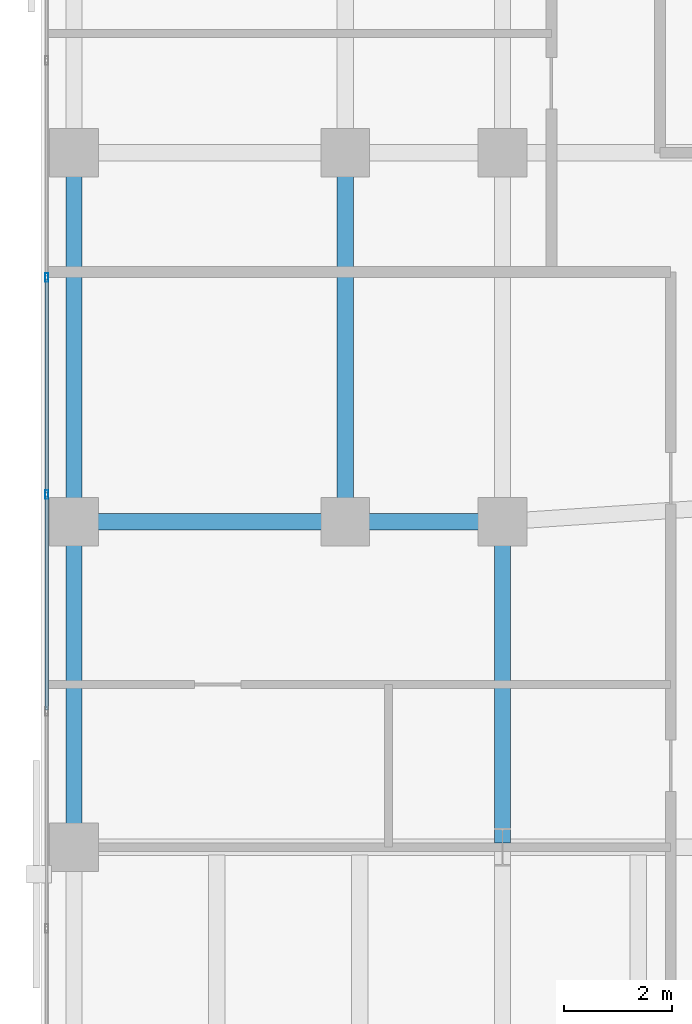
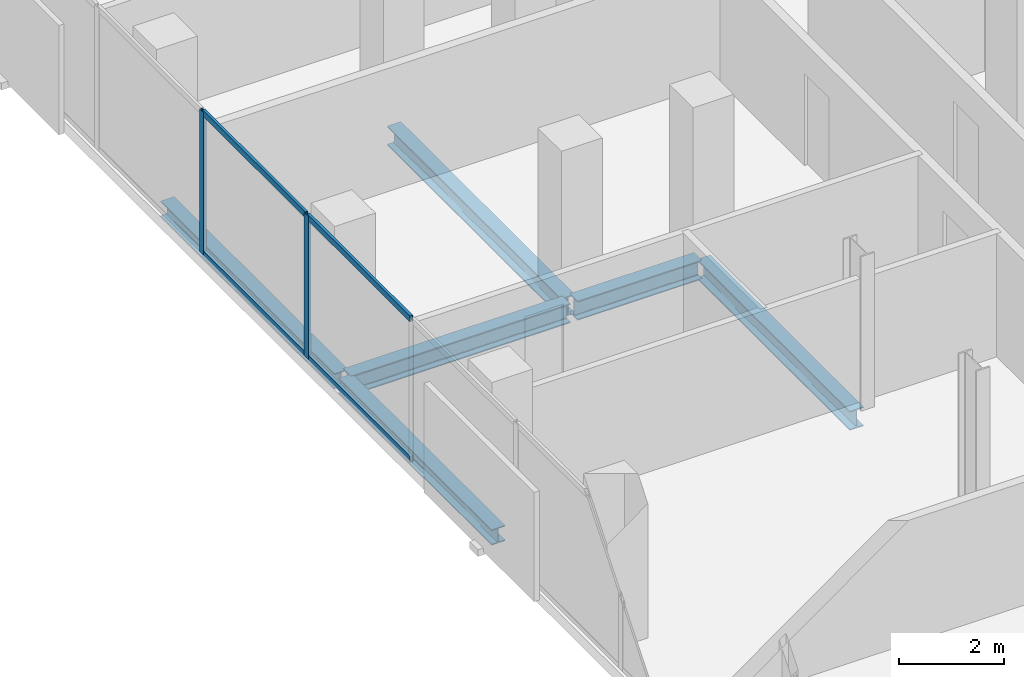
# One storey, part 9 of 34: 6 beams, 6 members, 1 element without a shape of its own.
"""IFC4 building model written with IfcOpenShell, lengths in metres."""

import ifcopenshell
import ifcopenshell.guid

model = None  # the IFC model being written
_history = None  # IfcOwnerHistory: only IFC2X3 demands one
_inside = {}  # id of a spatial element -> (the spatial element, [elements in it])
_under = {}  # id of a project, library or spatial element -> (it, [spatial elements below it])
_declared = {}  # id of a project -> (the project, [libraries it declares])
_typed = {}  # id of a type object -> (the type object, [elements of that type])
_made_of = {}  # id of a material, layer set ... -> (it, [elements and type objects made of it])


def new_model(schema):
    """Start an empty IFC model of exactly this schema.

    Asked for "IFC4X3", IfcOpenShell would pick the latest addendum, in which some entities
    have other attributes; the version numbers below select the first issue.
    IFC2X3 requires an IfcOwnerHistory on every rooted entity: one is made here for all.
    """
    global model, _history
    if schema == "IFC4X3":
        model = ifcopenshell.file(schema_version=(4, 3, 0, 0))
    else:
        model = ifcopenshell.file(schema=schema)
    _inside.clear()
    _under.clear()
    _declared.clear()
    _typed.clear()
    _made_of.clear()
    _history = None
    if model.schema == "IFC2X3":
        org = make("IfcOrganization", Name="unknown")
        user = make(
            "IfcPersonAndOrganization",
            ThePerson=make("IfcPerson", FamilyName="unknown"),
            TheOrganization=org,
        )
        app = make(
            "IfcApplication",
            ApplicationDeveloper=org,
            Version="unknown",
            ApplicationFullName="unknown",
            ApplicationIdentifier="unknown",
        )
        _history = make(
            "IfcOwnerHistory",
            OwningUser=user,
            OwningApplication=app,
            ChangeAction="ADDED",
            CreationDate=0,
        )
    return model


def make(cls, **values):
    """One entity of the class cls with the attributes given. An attribute that is None is left unset."""
    return model.create_entity(
        cls, **{name: value for name, value in values.items() if value is not None}
    )


def rooted(cls, **values):
    """An entity with a GlobalId (a new one), such as an element, a storey or a relation."""
    return make(cls, GlobalId=ifcopenshell.guid.new(), OwnerHistory=_history, **values)


def si_unit(unit_type, name, prefix=None):
    """IfcSIUnit, for example si_unit("LENGTHUNIT", "METRE", prefix="MILLI")."""
    return make("IfcSIUnit", UnitType=unit_type, Prefix=prefix, Name=name)


def assignment(units):
    """IfcUnitAssignment: the units of a project."""
    return None if units is None else make("IfcUnitAssignment", Units=units)


def point(xyz):
    """IfcCartesianPoint."""
    return None if xyz is None else make("IfcCartesianPoint", Coordinates=xyz)


def direction(xyz):
    """IfcDirection."""
    return None if xyz is None else make("IfcDirection", DirectionRatios=xyz)


def frame(location, z_axis=None, x_axis=None):
    """IfcAxis2Placement3D, a coordinate frame: its origin and axes. An axis left out is left unset."""
    return make(
        "IfcAxis2Placement3D",
        Location=point(location),
        Axis=direction(z_axis),
        RefDirection=direction(x_axis),
    )


def frame_2d(location, x_axis=None):
    """IfcAxis2Placement2D, a coordinate frame in the plane: its origin and x axis."""
    return make(
        "IfcAxis2Placement2D", Location=point(location), RefDirection=direction(x_axis)
    )


def origin():
    """The frame at (0, 0, 0) with its axes left unset."""
    return frame((0.0, 0.0, 0.0))


def origin_2d():
    """The frame at (0, 0) in the plane with its x axis left unset."""
    return frame_2d((0.0, 0.0))


def place(relative_to, where):
    """IfcLocalPlacement: puts the frame where relative to a parent placement (None: the world)."""
    return make(
        "IfcLocalPlacement", PlacementRelTo=relative_to, RelativePlacement=where
    )


def context(
    kind, dimensions, precision=None, world=None, true_north=None, identifier=None
):
    """IfcGeometricRepresentationContext, for example the 3D "Model" context."""
    return make(
        "IfcGeometricRepresentationContext",
        ContextIdentifier=identifier,
        ContextType=kind,
        CoordinateSpaceDimension=dimensions,
        Precision=precision,
        WorldCoordinateSystem=world,
        TrueNorth=true_north,
    )


def subcontext(parent, identifier, kind, view, scale=None):
    """IfcGeometricRepresentationSubContext, for example "Body" below "Model"."""
    return make(
        "IfcGeometricRepresentationSubContext",
        ContextIdentifier=identifier,
        ContextType=kind,
        ParentContext=parent,
        TargetScale=scale,
        TargetView=view,
    )


def project(units=None, contexts=None):
    """IfcProject with its units and contexts."""
    return rooted(
        "IfcProject",
        Name="project",
        RepresentationContexts=contexts,
        UnitsInContext=assignment(units),
    )


def spatial(cls, under=None, at=None, **own):
    """A site, building, storey or space (cls), placed at a placement, below another one or the project."""
    s = rooted(cls, ObjectPlacement=at, **own)
    if under is not None:
        _under.setdefault(under.id(), (under, []))[1].append(s)
    return s


def profile(cls, at=None, kind="AREA", **sizes):
    """A parametric profile (cls). Its sizes go by their IFC names, for example OverallWidth=200.0."""
    return make(cls, ProfileType=kind, Position=at, **sizes)


def hollow_rectangle(**sizes):
    """IfcRectangleHollowProfileDef."""
    return profile("IfcRectangleHollowProfileDef", **sizes)


def i_section(**sizes):
    """IfcIShapeProfileDef."""
    return profile("IfcIShapeProfileDef", **sizes)


def extrude(swept, where, along, depth):
    """IfcExtrudedAreaSolid: the profile swept, set in the frame where, extruded along a direction by depth."""
    return make(
        "IfcExtrudedAreaSolid",
        SweptArea=swept,
        Position=where,
        ExtrudedDirection=direction(along),
        Depth=depth,
    )


def shape(context_of_items, identifier, shape_type, items):
    """IfcShapeRepresentation: the items that make up one representation, for example the "Body"."""
    return make(
        "IfcShapeRepresentation",
        ContextOfItems=context_of_items,
        RepresentationIdentifier=identifier,
        RepresentationType=shape_type,
        Items=items,
    )


def material(Name=None, Category=None):
    """IfcMaterial."""
    return make("IfcMaterial", Name=Name, Category=Category)


def layer(
    of_material, thickness, ventilated=None, Name=None, Category=None, Priority=None
):
    """IfcMaterialLayer: one layer of a wall or slab, of a material (None: an air gap)."""
    return make(
        "IfcMaterialLayer",
        Material=of_material,
        LayerThickness=thickness,
        IsVentilated=ventilated,
        Name=Name,
        Category=Category,
        Priority=Priority,
    )


def layer_set(layers, Name=None):
    """IfcMaterialLayerSet."""
    return make("IfcMaterialLayerSet", MaterialLayers=layers, LayerSetName=Name)


def material_profile(
    of_material, cross_section, Name=None, Category=None, Priority=None
):
    """IfcMaterialProfile: a cross section and its material."""
    return make(
        "IfcMaterialProfile",
        Name=Name,
        Material=of_material,
        Profile=cross_section,
        Priority=Priority,
        Category=Category,
    )


def profile_set(profiles, Name=None, composite=None):
    """IfcMaterialProfileSet."""
    return make(
        "IfcMaterialProfileSet",
        Name=Name,
        MaterialProfiles=profiles,
        CompositeProfile=composite,
    )


def made_of(thing, what):
    """Note that an element or type object is made of a material, layer set ...; save() writes the relation."""
    if what is not None:
        _made_of.setdefault(what.id(), (what, []))[1].append(thing)
    return thing


def type_object(cls, material=None, **own):
    """A type object (cls), such as IfcWallType, which elements share."""
    return made_of(rooted(cls, **own), material)


def element(
    cls,
    number,
    at=None,
    inside=None,
    cuts=None,
    type_object=None,
    material=None,
    context=None,
    identifier="Body",
    shape_type=None,
    held_by="IfcProductDefinitionShape",
    body=None,
    shapes=None,
    **own,
):
    """One element of the class cls, such as IfcWall. Its Tag is "e" and its number.

    at: its placement. inside: the storey or other place that contains it. cuts: it is an
    opening in that element (IfcRelVoidsElement). A single representation is given by context,
    identifier, shape_type and body (its items); several are given by shapes. held_by: the class
    of the entity that holds the representations. save() writes the other relations.
    """
    e = rooted(cls, Tag="e%d" % number, ObjectPlacement=at, **own)
    if body is not None:
        shapes = [shape(context, identifier, shape_type, body)]
    if shapes is not None:
        e.Representation = make(held_by, Representations=shapes)
    if inside is not None:
        _inside.setdefault(inside.id(), (inside, []))[1].append(e)
    if cuts is not None:
        rooted(
            "IfcRelVoidsElement", RelatingBuildingElement=cuts, RelatedOpeningElement=e
        )
    if type_object is not None:
        _typed.setdefault(type_object.id(), (type_object, []))[1].append(e)
    return made_of(e, material)


def aggregate(whole, parts):
    """IfcRelAggregates: a whole, such as a stair, and the parts it consists of."""
    return rooted("IfcRelAggregates", RelatingObject=whole, RelatedObjects=parts)


def save(model, path):
    """Write the relations noted so far, then the file.

    IfcRelAggregates (storeys below a building ...), IfcRelContainedInSpatialStructure (elements
    in a storey), IfcRelDefinesByType, IfcRelAssociatesMaterial and IfcRelDeclares: one each for
    every whole, place, type object, material and project.
    """
    for whole, parts in _under.values():
        aggregate(whole, parts)
    for where, things in _inside.values():
        rooted(
            "IfcRelContainedInSpatialStructure",
            RelatedElements=things,
            RelatingStructure=where,
        )
    for kind, things in _typed.values():
        rooted("IfcRelDefinesByType", RelatedObjects=things, RelatingType=kind)
    for what, things in _made_of.values():
        rooted("IfcRelAssociatesMaterial", RelatedObjects=things, RelatingMaterial=what)
    for by, libraries in _declared.values():
        rooted("IfcRelDeclares", RelatingContext=by, RelatedDefinitions=libraries)
    model.write(path)


model = new_model("IFC4")

# Units and contexts
model_context = context("Model", 3, precision=1e-05, world=origin(), true_north=direction((0.0, 1.0)))
body_context = subcontext(model_context, "Body", "Model", "MODEL_VIEW")
ifc_project = project(units=[si_unit("LENGTHUNIT", "METRE"), si_unit("AREAUNIT", "SQUARE_METRE"), si_unit("VOLUMEUNIT", "CUBIC_METRE"), si_unit("PLANEANGLEUNIT", "RADIAN"), si_unit("MASSUNIT", "GRAM", prefix="KILO")], contexts=[model_context])

# Site, building, storey
site_placement = place(None, origin())
site = spatial("IfcSite", under=ifc_project, at=site_placement, CompositionType="ELEMENT")
building_placement = place(site_placement, origin())
building = spatial("IfcBuilding", under=site, at=building_placement, Name="Catumbela Crestline Tower", CompositionType="ELEMENT")
storey_placement = place(building_placement, frame((0.0, 0.0, 115.2)))
storey = spatial("IfcBuildingStorey", under=building, at=storey_placement, Name="L29", CompositionType="ELEMENT", Elevation=115.2)

# Beams
ifc_material_1 = material(Name="Structural steel S355J2", Category="steel")
ifc_material_profile_1 = material_profile(ifc_material_1, i_section(OverallWidth=0.3, OverallDepth=0.45, WebThickness=0.014, FlangeThickness=0.026, FilletRadius=0.027, at=origin_2d()), Name="HEB 450")
ifc_profile_set_1 = profile_set([ifc_material_profile_1], Name="Structural steel S355J2")
beam_type_1 = type_object("IfcBeamType", Name="BG-HEB450", PredefinedType="BEAM", material=ifc_profile_set_1)
beam_1_placement = place(storey_placement, frame((0.68, 24.0, -0.485), z_axis=(1.0, 0.0, 0.0), x_axis=(0.0, 1.0, 0.0)))
element("IfcBeam", 1, at=beam_1_placement, inside=storey, type_object=beam_type_1, Name="L29 Beam BM-L29-S01", PredefinedType="BEAM", context=body_context, shape_type="SweptSolid", body=[
    extrude(i_section(OverallWidth=0.3, OverallDepth=0.45, WebThickness=0.014, FlangeThickness=0.026, FilletRadius=0.027, at=origin_2d()), origin(), (0.0, 0.0, 1.0), 4.84),
])
beam_2_placement = place(storey_placement, frame((5.68, 24.0, -0.485), z_axis=(1.0, 0.0, 0.0), x_axis=(0.0, 1.0, 0.0)))
element("IfcBeam", 2, at=beam_2_placement, inside=storey, type_object=beam_type_1, Name="L29 Beam BM-L29-S02", PredefinedType="BEAM", context=body_context, shape_type="SweptSolid", body=[
    extrude(i_section(OverallWidth=0.3, OverallDepth=0.45, WebThickness=0.014, FlangeThickness=0.026, FilletRadius=0.027, at=origin_2d()), origin(), (0.0, 0.0, 1.0), 2.74),
])
beam_3_placement = place(storey_placement, frame((5.6, 24.08, -0.485), z_axis=(0.0, 1.0, 0.0), x_axis=(-1.0, 0.0, 0.0)))
element("IfcBeam", 3, at=beam_3_placement, inside=storey, type_object=beam_type_1, Name="L29 Beam BM-L29-SN24", PredefinedType="BEAM", context=body_context, shape_type="SweptSolid", body=[
    extrude(i_section(OverallWidth=0.3, OverallDepth=0.45, WebThickness=0.014, FlangeThickness=0.026, FilletRadius=0.027, at=origin_2d()), origin(), (0.0, 0.0, 1.0), 6.64),
])
beam_4_placement = place(storey_placement, frame((8.5, 18.08, -0.485), z_axis=(0.0, 1.0, 0.0), x_axis=(-1.0, 0.0, 0.0)))
element("IfcBeam", 4, at=beam_4_placement, inside=storey, type_object=beam_type_1, Name="L29 Beam BM-L29-WNS57", PredefinedType="BEAM", context=body_context, shape_type="SweptSolid", body=[
    extrude(i_section(OverallWidth=0.3, OverallDepth=0.45, WebThickness=0.014, FlangeThickness=0.026, FilletRadius=0.027, at=origin_2d()), origin(), (0.0, 0.0, 1.0), 5.84),
])

# Curtain wall, members
ifc_material_2 = material(Name="Aluminium alloy AW-6060-T66", Category="aluminium")
ifc_layer = layer(ifc_material_2, 0.18, Name="Aluminium alloy AW-6060-T66")
ifc_layer_set = layer_set([ifc_layer], Name="Aluminium alloy AW-6060-T66")
curtain_wall_type = type_object("IfcCurtainWallType", Name="CWU-Z2", PredefinedType="USERDEFINED", material=ifc_layer_set)
curtain_wall_placement = place(storey_placement, origin())
curtain_wall = element("IfcCurtainWall", 5, at=curtain_wall_placement, inside=storey, type_object=curtain_wall_type, Name="L29 Unitised Curtain Wall CW-L29-E9S1", ObjectType="UNITISED", PredefinedType="USERDEFINED")
ifc_material_profile_2 = material_profile(ifc_material_2, hollow_rectangle(XDim=0.06, YDim=0.16, WallThickness=0.004, at=origin_2d()), Name="ALU 160x60x4")
ifc_profile_set_2 = profile_set([ifc_material_profile_2], Name="Aluminium alloy AW-6060-T66")
member_type_1 = type_object("IfcMemberType", Name="MUL-160X60", PredefinedType="MULLION", material=ifc_profile_set_2)
member_1_placement = place(storey_placement, frame((0.1, 28.5, 0.0), z_axis=(0.0, 0.0, 1.0), x_axis=(1.0, 0.0, 0.0)))
member_1 = element("IfcMember", 6, at=member_1_placement, type_object=member_type_1, Name="CWU-Z2 mullion 5", PredefinedType="MULLION", context=body_context, shape_type="SweptSolid", body=[
    extrude(hollow_rectangle(XDim=0.06, YDim=0.16, WallThickness=0.004, at=origin_2d()), origin(), (0.0, 0.0, 1.0), 3.33),
])
member_2_placement = place(storey_placement, frame((0.1, 24.5, 0.0), z_axis=(0.0, 0.0, 1.0), x_axis=(1.0, 0.0, 0.0)))
member_2 = element("IfcMember", 7, at=member_2_placement, type_object=member_type_1, Name="CWU-Z2 mullion 6", PredefinedType="MULLION", context=body_context, shape_type="SweptSolid", body=[
    extrude(hollow_rectangle(XDim=0.06, YDim=0.16, WallThickness=0.004, at=origin_2d()), origin(), (0.0, 0.0, 1.0), 3.33),
])

# Beams
ifc_material_profile_3 = material_profile(ifc_material_1, i_section(OverallWidth=0.3, OverallDepth=0.36, WebThickness=0.0125, FlangeThickness=0.0225, FilletRadius=0.027, at=origin_2d()), Name="HEB 360")
ifc_profile_set_3 = profile_set([ifc_material_profile_3], Name="Structural steel S355J2")
beam_type_2 = type_object("IfcBeamType", Name="BS-HEB360", PredefinedType="SPANDREL", material=ifc_profile_set_3)
beam_5_placement = place(storey_placement, frame((0.6, 24.08, -0.44), z_axis=(0.0, 1.0, 0.0), x_axis=(-1.0, 0.0, 0.0)))
element("IfcBeam", 8, at=beam_5_placement, inside=storey, type_object=beam_type_2, Name="L29 Spandrel SP-L29-SN22", PredefinedType="SPANDREL", context=body_context, shape_type="SweptSolid", body=[
    extrude(i_section(OverallWidth=0.3, OverallDepth=0.36, WebThickness=0.0125, FlangeThickness=0.0225, FilletRadius=0.027, at=origin_2d()), origin(), (0.0, 0.0, 1.0), 6.64),
])
beam_6_placement = place(storey_placement, frame((0.6, 18.08, -0.44), z_axis=(0.0, 1.0, 0.0), x_axis=(-1.0, 0.0, 0.0)))
element("IfcBeam", 9, at=beam_6_placement, inside=storey, type_object=beam_type_2, Name="L29 Spandrel SP-L29-WNS54", PredefinedType="SPANDREL", context=body_context, shape_type="SweptSolid", body=[
    extrude(i_section(OverallWidth=0.3, OverallDepth=0.36, WebThickness=0.0125, FlangeThickness=0.0225, FilletRadius=0.027, at=origin_2d()), origin(), (0.0, 0.0, 1.0), 5.84),
])

# Member
ifc_material_profile_4 = material_profile(ifc_material_2, hollow_rectangle(XDim=0.06, YDim=0.14, WallThickness=0.004, at=origin_2d()), Name="ALU 140x60x4")
ifc_profile_set_4 = profile_set([ifc_material_profile_4], Name="Aluminium alloy AW-6060-T66")
member_type_2 = type_object("IfcMemberType", Name="TRN-140X60", PredefinedType="USERDEFINED", material=ifc_profile_set_4)
member_3_placement = place(storey_placement, frame((0.1, 28.4675, 0.03), z_axis=(0.0, -1.0, 0.0), x_axis=(1.0, 0.0, 0.0)))
member_3 = element("IfcMember", 10, at=member_3_placement, type_object=member_type_2, Name="CWU-Z2 transom 5.1", ObjectType="TRANSOM", PredefinedType="USERDEFINED", context=body_context, shape_type="SweptSolid", body=[
    extrude(hollow_rectangle(XDim=0.06, YDim=0.14, WallThickness=0.004, at=origin_2d()), origin(), (0.0, 0.0, 1.0), 3.935),
])

member_4_placement = place(storey_placement, frame((0.1, 28.4675, 3.3), z_axis=(0.0, -1.0, 0.0), x_axis=(1.0, 0.0, 0.0)))
member_4 = element("IfcMember", 11, at=member_4_placement, type_object=member_type_2, Name="CWU-Z2 transom 5.2", ObjectType="TRANSOM", PredefinedType="USERDEFINED", context=body_context, shape_type="SweptSolid", body=[
    extrude(hollow_rectangle(XDim=0.06, YDim=0.14, WallThickness=0.004, at=origin_2d()), origin(), (0.0, 0.0, 1.0), 3.935),
])

member_5_placement = place(storey_placement, frame((0.1, 24.4675, 0.03), z_axis=(0.0, -1.0, 0.0), x_axis=(1.0, 0.0, 0.0)))
member_5 = element("IfcMember", 12, at=member_5_placement, type_object=member_type_2, Name="CWU-Z2 transom 6.1", ObjectType="TRANSOM", PredefinedType="USERDEFINED", context=body_context, shape_type="SweptSolid", body=[
    extrude(hollow_rectangle(XDim=0.06, YDim=0.14, WallThickness=0.004, at=origin_2d()), origin(), (0.0, 0.0, 1.0), 3.935),
])

member_6_placement = place(storey_placement, frame((0.1, 24.4675, 3.3), z_axis=(0.0, -1.0, 0.0), x_axis=(1.0, 0.0, 0.0)))
member_6 = element("IfcMember", 13, at=member_6_placement, type_object=member_type_2, Name="CWU-Z2 transom 6.2", ObjectType="TRANSOM", PredefinedType="USERDEFINED", context=body_context, shape_type="SweptSolid", body=[
    extrude(hollow_rectangle(XDim=0.06, YDim=0.14, WallThickness=0.004, at=origin_2d()), origin(), (0.0, 0.0, 1.0), 3.935),
])

aggregate(curtain_wall, [member_1, member_2, member_3, member_4, member_5, member_6])

save(model, "model.ifc")
